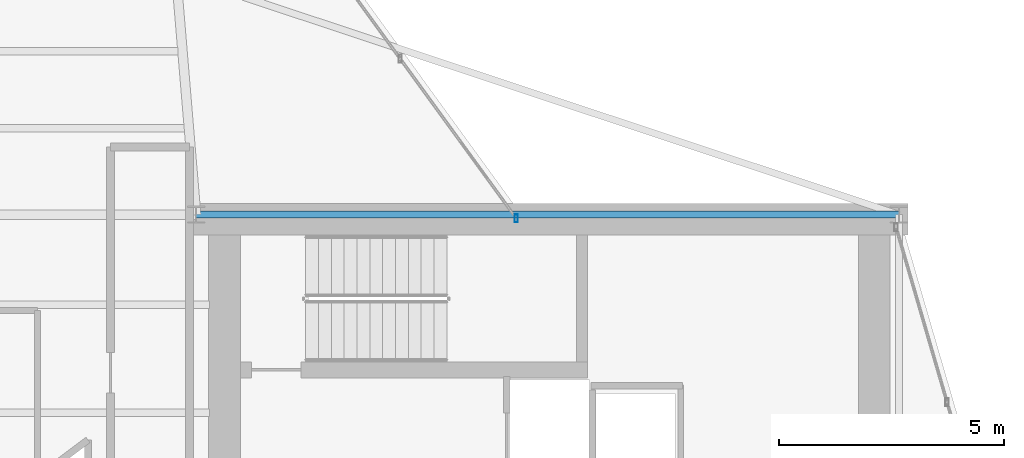
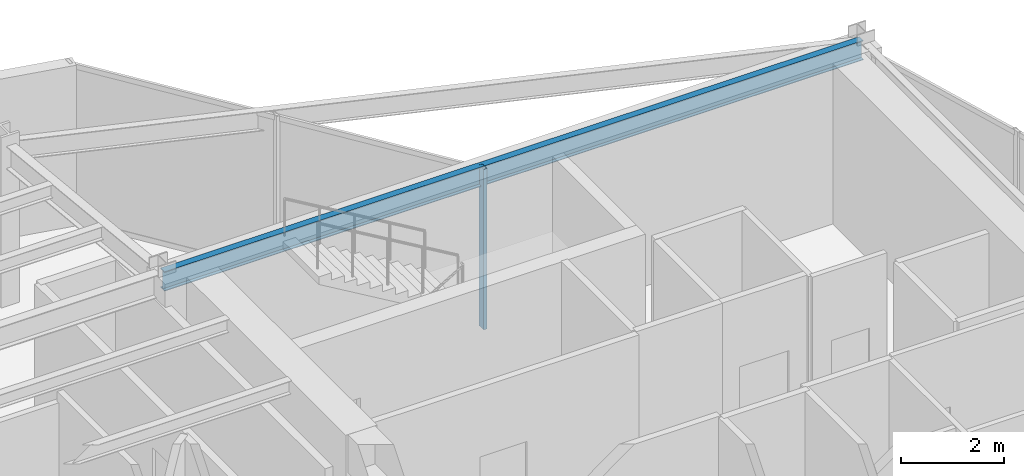
# One storey, part 14 of 21: 1 beam, 1 member, 1 element without a shape of its own.
"""IFC4 building model written with IfcOpenShell, lengths in metres."""

from ifc_helpers import new_model, si_unit, direction, frame, origin, origin_2d, place, context, subcontext, project, spatial, hollow_rectangle, i_section, extrude, material, layer, layer_set, material_profile, profile_set, type_object, element, aggregate, save


model = new_model("IFC4")

# Units and contexts
model_context = context("Model", 3, precision=1e-05, world=origin(), true_north=direction((0.0, 1.0)))
body_context = subcontext(model_context, "Body", "Model", "MODEL_VIEW")
ifc_project = project(units=[si_unit("LENGTHUNIT", "METRE"), si_unit("AREAUNIT", "SQUARE_METRE"), si_unit("VOLUMEUNIT", "CUBIC_METRE"), si_unit("PLANEANGLEUNIT", "RADIAN"), si_unit("MASSUNIT", "GRAM", prefix="KILO")], contexts=[model_context])

# Site, building, storey
site_placement = place(None, origin())
site = spatial("IfcSite", under=ifc_project, at=site_placement, CompositionType="ELEMENT")
building_placement = place(site_placement, origin())
building = spatial("IfcBuilding", under=site, at=building_placement, Name="Veymaron Broadcast Tower", CompositionType="ELEMENT")
storey_placement = place(building_placement, frame((0.0, 0.0, 228.300048828125)))
storey = spatial("IfcBuildingStorey", under=building, at=storey_placement, Name="L53", CompositionType="ELEMENT", Elevation=228.300048828125)

# Beam
ifc_material_1 = material(Name="Structural steel ASTM A992 Gr 50", Category="steel")
ifc_material_profile_1 = material_profile(ifc_material_1, i_section(OverallWidth=0.154052734375, OverallDepth=0.458984375, WebThickness=0.009033203125, FlangeThickness=0.015380859375, at=origin_2d()), Name="W460X68")
ifc_profile_set_1 = profile_set([ifc_material_profile_1], Name="Structural steel ASTM A992 Gr 50")
beam_type = type_object("IfcBeamType", Name="BM-SP2", PredefinedType="SPANDREL", material=ifc_profile_set_1)
beam_placement = place(storey_placement, frame((39.0, 32.0, 3.560546875), z_axis=(1.0, 0.0, 0.0), x_axis=(0.0, 1.0, 0.0)))
element("IfcBeam", 1, at=beam_placement, inside=storey, type_object=beam_type, Name="L53 primary structural floor girder", PredefinedType="SPANDREL", context=body_context, shape_type="SweptSolid", body=[
    extrude(i_section(OverallWidth=0.154052734375, OverallDepth=0.458984375, WebThickness=0.009033203125, FlangeThickness=0.015380859375, at=origin_2d()), origin(), (0.0, 0.0, 1.0), 15.60009765625),
])

# Curtain wall, member
ifc_material_2 = material(Name="Anodised aluminium AA 6063-T6 and laminated low-E dark glass", Category="aluminium")
ifc_layer = layer(ifc_material_2, 0.179931640625)
ifc_layer_set = layer_set([ifc_layer], Name="Anodised aluminium AA 6063-T6 and laminated low-E dark glass")
curtain_wall_type = type_object("IfcCurtainWallType", Name="CW-SYS-05", PredefinedType="NOTDEFINED", material=ifc_layer_set)
curtain_wall_placement = place(storey_placement, origin())
curtain_wall = element("IfcCurtainWall", 2, at=curtain_wall_placement, inside=storey, type_object=curtain_wall_type, Name="L53 dark-glass curtain wall CW-L53-E5-1", PredefinedType="NOTDEFINED")
ifc_material_3 = material(Name="Anodised aluminium AA 6063-T6", Category="aluminium")
ifc_material_profile_2 = material_profile(ifc_material_3, hollow_rectangle(XDim=0.074951171875, YDim=0.179931640625, WallThickness=0.0048828125, at=origin_2d()), Name="AL180X75X5")
ifc_profile_set_2 = profile_set([ifc_material_profile_2], Name="Anodised aluminium AA 6063-T6")
member_type = type_object("IfcMemberType", Name="CW-MUL-02", PredefinedType="MULLION", material=ifc_profile_set_2)
member_placement = place(storey_placement, frame((46.10498046875, 31.917724609375, 0.0), z_axis=(0.0, 0.0, 1.0), x_axis=(1.0, 0.0, 0.0)))
member = element("IfcMember", 3, at=member_placement, type_object=member_type, Name="CW-L53-E5-1 mullion 0", PredefinedType="MULLION", context=body_context, shape_type="SweptSolid", body=[
    extrude(hollow_rectangle(XDim=0.074951171875, YDim=0.179931640625, WallThickness=0.0048828125, at=origin_2d()), origin(), (0.0, 0.0, 1.0), 3.7900390625),
])
aggregate(curtain_wall, [member])

save(model, "model.ifc")
